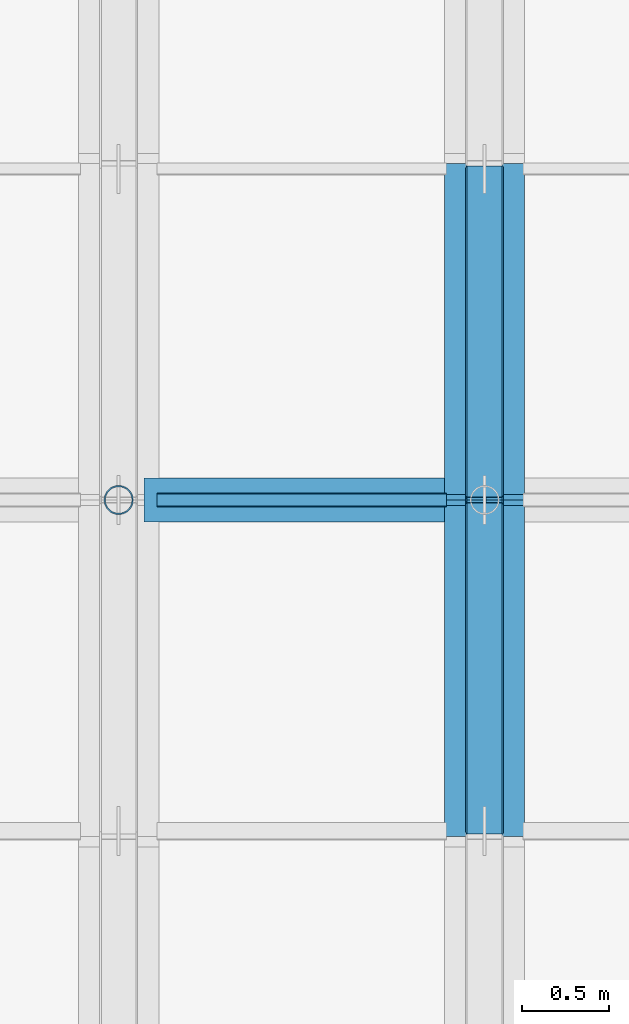
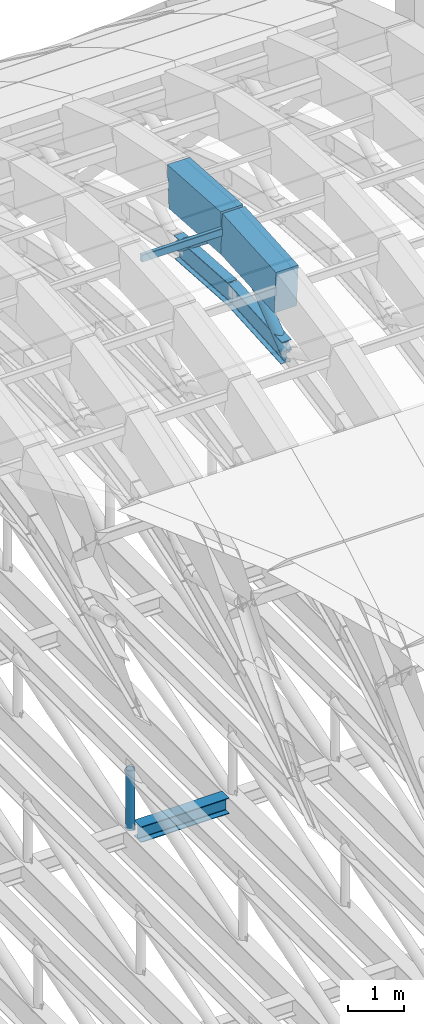
# One storey, part 36 of 67: 5 beams, 4 members.
"""IFC4 building model written with IfcOpenShell, lengths in metres."""

from ifc_helpers import new_model, si_unit, direction, frame, origin, origin_2d, place, context, subcontext, project, spatial, rectangle, hollow_rectangle, hollow_circle, i_section, extrude, material, material_profile, profile_set, type_object, element, save


model = new_model("IFC4")

# Units and contexts
model_context = context("Model", 3, precision=1e-05, world=origin(), true_north=direction((0.0, 1.0)))
body_context = subcontext(model_context, "Body", "Model", "MODEL_VIEW")
ifc_project = project(units=[si_unit("LENGTHUNIT", "METRE"), si_unit("AREAUNIT", "SQUARE_METRE"), si_unit("VOLUMEUNIT", "CUBIC_METRE"), si_unit("PLANEANGLEUNIT", "RADIAN"), si_unit("MASSUNIT", "GRAM", prefix="KILO")], contexts=[model_context])

# Site, building, storey
site_placement = place(None, origin())
site = spatial("IfcSite", under=ifc_project, at=site_placement, CompositionType="ELEMENT")
building_placement = place(site_placement, origin())
building = spatial("IfcBuilding", under=site, at=building_placement, Name="Shengluoqiao Park Theatre", CompositionType="ELEMENT")
storey_placement = place(building_placement, frame((0.0, 0.0, 28.60009765625)))
storey = spatial("IfcBuildingStorey", under=building, at=storey_placement, Name="Roof", CompositionType="ELEMENT", Elevation=28.60009765625)

# Beams
ifc_material_1 = material(Name="Concrete C50", Category="concrete")
ifc_material_profile_1 = material_profile(ifc_material_1, rectangle(XDim=0.4599609375, YDim=0.919921875, at=origin_2d()), Name="RC ARCH 460x920")
ifc_profile_set_1 = profile_set([ifc_material_profile_1], Name="Concrete C50")
beam_type_1 = type_object("IfcBeamType", Name="STR-BM-AR-4609", PredefinedType="BEAM", material=ifc_profile_set_1)
for number, where, z_axis, x_axis, name in (
    (1, (80.10009765625, 93.10009765625, 2.453857421875), (0.0, 0.997808922354, 0.066161578506), (-1.0, 0.0, 0.0), "Barrel-Shell Arch Rib R18-S10"),
    (2, (80.10009765625, 95.0, 2.579833984375), (0.0, 0.997808922354, -0.066161578506), (-1.0, 0.0, 0.0), "Barrel-Shell Arch Rib R18-S11"),
):
    element("IfcBeam", number, at=place(storey_placement, frame(where, z_axis=z_axis, x_axis=x_axis)), inside=storey, type_object=beam_type_1, Name=name, PredefinedType="BEAM", context=body_context, shape_type="SweptSolid", body=[
        extrude(rectangle(XDim=0.4599609375, YDim=0.919921875, at=origin_2d()), origin(), (0.0, 0.0, 1.0), 1.904052734375),
    ])
ifc_material_2 = material(Name="Steel Q355", Category="steel")
ifc_material_profile_2 = material_profile(ifc_material_2, i_section(OverallWidth=0.25, OverallDepth=0.340087890625, WebThickness=0.009033203125, FlangeThickness=0.013916015625, FilletRadius=0.01611328125, at=origin_2d()), Name="HM 340x250x9x14")
ifc_profile_set_2 = profile_set([ifc_material_profile_2], Name="Steel Q355")
beam_type_2 = type_object("IfcBeamType", Name="STR-BM-G-HM340", PredefinedType="BEAM", material=ifc_profile_set_2)
beam_placement = place(storey_placement, frame((78.14404296875, 95.0, -9.77001953125), z_axis=(1.0, 0.0, 0.0), x_axis=(0.0, 1.0, 0.0)))
element("IfcBeam", 3, at=beam_placement, inside=storey, type_object=beam_type_2, Name="Auditorium Overhead Catwalk Girder R17-3", PredefinedType="BEAM", context=body_context, shape_type="SweptSolid", body=[
    extrude(i_section(OverallWidth=0.25, OverallDepth=0.340087890625, WebThickness=0.009033203125, FlangeThickness=0.013916015625, FilletRadius=0.01611328125, at=origin_2d()), origin(), (0.0, 0.0, 1.0), 1.81201171875),
])
ifc_material_profile_3 = material_profile(ifc_material_2, i_section(OverallWidth=0.199951171875, OverallDepth=0.5, WebThickness=0.010009765625, FlangeThickness=0.01611328125, FilletRadius=0.01806640625, at=origin_2d()), Name="HN 500x200x10x16")
ifc_profile_set_3 = profile_set([ifc_material_profile_3], Name="Steel Q355")
beam_type_3 = type_object("IfcBeamType", Name="STR-BM-J-HN500", PredefinedType="JOIST", material=ifc_profile_set_3)
for number, where, z_axis, x_axis, name in (
    (4, (80.10009765625, 93.10009765625, 1.093994140625), (0.0, 0.997808922354, 0.066161578506), (-1.0, 0.0, 0.0), "Barrel-Shell Lower Arch Chord R18-S10"),
    (5, (80.10009765625, 95.0, 1.219970703125), (0.0, 0.997808922354, -0.066161578506), (-1.0, 0.0, 0.0), "Barrel-Shell Lower Arch Chord R18-S11"),
):
    element("IfcBeam", number, at=place(storey_placement, frame(where, z_axis=z_axis, x_axis=x_axis)), inside=storey, type_object=beam_type_3, Name=name, PredefinedType="JOIST", context=body_context, shape_type="SweptSolid", body=[
        extrude(i_section(OverallWidth=0.199951171875, OverallDepth=0.5, WebThickness=0.010009765625, FlangeThickness=0.01611328125, FilletRadius=0.01806640625, at=origin_2d()), origin(), (0.0, 0.0, 1.0), 1.904052734375),
    ])

# Members
ifc_material_profile_4 = material_profile(ifc_material_2, hollow_circle(Radius=0.109619140625, WallThickness=0.010009765625, at=origin_2d()), Name="CHS 219x10")
ifc_profile_set_4 = profile_set([ifc_material_profile_4], Name="Steel Q355")
member_type_1 = type_object("IfcMemberType", Name="STR-MEM-BRC-219", PredefinedType="BRACE", material=ifc_profile_set_4)
for number, where, z_axis, x_axis, name in (
    (6, (80.10009765625, 93.10009765625, 1.093994140625), (0.0, 0.787714283449, 0.616040751615), (-1.0, 0.0, 0.0), "Barrel-Shell Arch Truss Web 0350"),
    (7, (80.10009765625, 95.0, 2.579833984375), (0.0, 0.787714283449, -0.616040751615), (-1.0, 0.0, 0.0), "Barrel-Shell Arch Truss Web 0351"),
):
    element("IfcMember", number, at=place(storey_placement, frame(where, z_axis=z_axis, x_axis=x_axis)), inside=storey, type_object=member_type_1, Name=name, PredefinedType="BRACE", context=body_context, shape_type="SweptSolid", body=[
        extrude(hollow_circle(Radius=0.109619140625, WallThickness=0.010009765625, at=origin_2d()), origin(), (0.0, 0.0, 1.0), 2.411865234375),
    ])
ifc_material_profile_5 = material_profile(ifc_material_2, hollow_rectangle(XDim=0.080078125, YDim=0.159912109375, WallThickness=0.006103515625, InnerFilletRadius=0.006103515625, OuterFilletRadius=0.011962890625, at=origin_2d()), Name="RHS 160x80x6")
ifc_profile_set_5 = profile_set([ifc_material_profile_5], Name="Steel Q355")
member_type_2 = type_object("IfcMemberType", Name="STR-MEM-PU-R160", PredefinedType="PURLIN", material=ifc_profile_set_5)
member_1_placement = place(storey_placement, frame((78.219970703125, 95.0, 2.639892578125), z_axis=(1.0, 0.0, 0.0), x_axis=(0.0, 1.0, 0.0)))
element("IfcMember", 8, at=member_1_placement, inside=storey, type_object=member_type_2, Name="Shell Longitudinal Purlin 0314", PredefinedType="PURLIN", context=body_context, shape_type="SweptSolid", body=[
    extrude(hollow_rectangle(XDim=0.080078125, YDim=0.159912109375, WallThickness=0.006103515625, InnerFilletRadius=0.006103515625, OuterFilletRadius=0.011962890625, at=origin_2d()), origin(), (0.0, 0.0, 1.0), 1.659912109375),
])
ifc_material_profile_6 = material_profile(ifc_material_2, hollow_circle(Radius=0.083984375, WallThickness=0.008056640625, at=origin_2d()), Name="CHS 168x8")
ifc_profile_set_6 = profile_set([ifc_material_profile_6], Name="Steel Q355")
member_type_3 = type_object("IfcMemberType", Name="STR-MEM-STC-168", PredefinedType="STRUT", material=ifc_profile_set_6)
member_2_placement = place(storey_placement, frame((78.0, 95.0, -9.650146484375), z_axis=(0.0, 0.0, 1.0), x_axis=(1.0, 0.0, 0.0)))
element("IfcMember", 9, at=member_2_placement, inside=storey, type_object=member_type_3, Name="Acoustic Tie Truss Strut 0124", PredefinedType="STRUT", context=body_context, shape_type="SweptSolid", body=[
    extrude(hollow_circle(Radius=0.083984375, WallThickness=0.008056640625, at=origin_2d()), origin(), (0.0, 0.0, 1.0), 1.300048828125),
])

save(model, "model.ifc")
